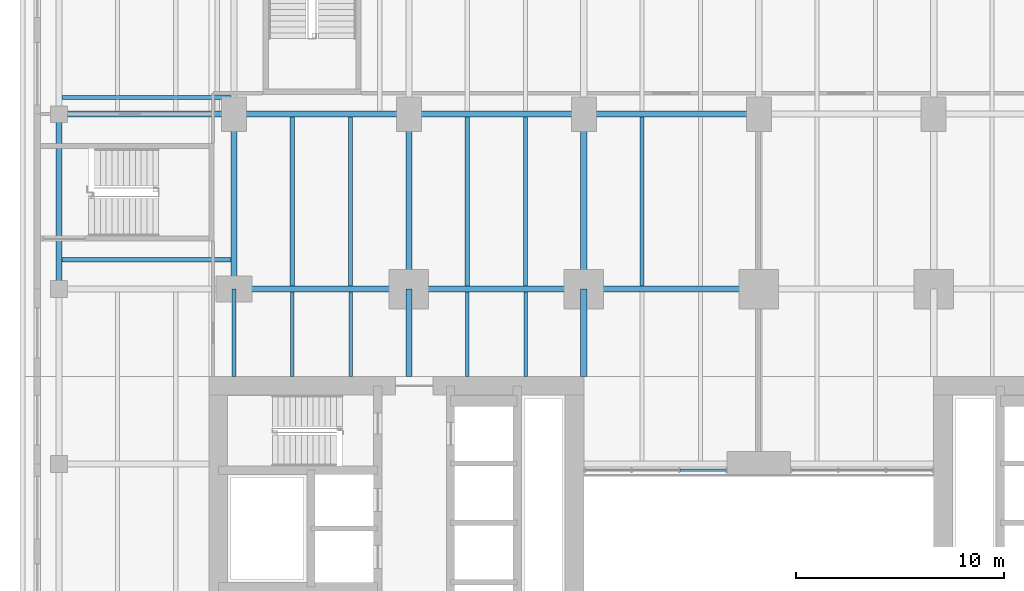
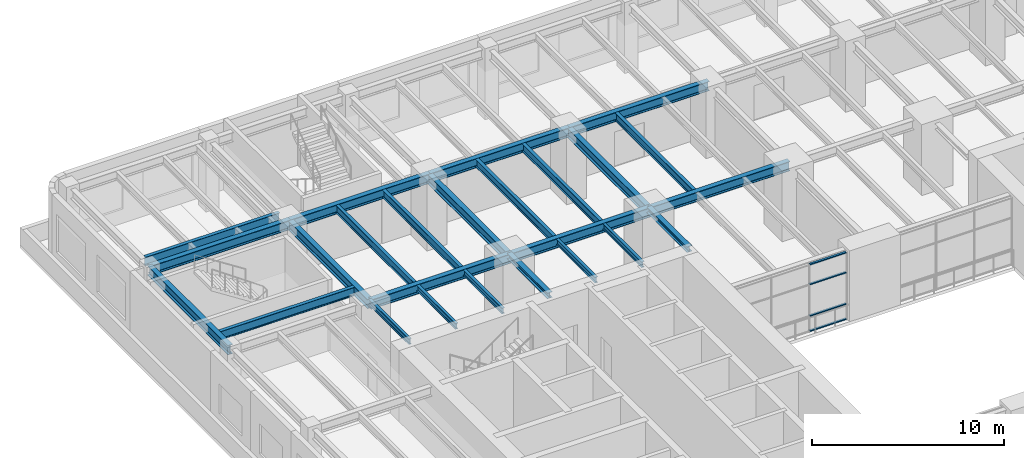
# One storey, part 9 of 30: 25 beams, 4 members, 1 element without a shape of its own.
"""IFC4 building model written with IfcOpenShell, lengths in metres."""

from ifc_helpers import new_model, si_unit, direction, frame, origin, origin_2d, place, context, subcontext, project, spatial, rectangle, i_section, extrude, material, material_profile, profile_set, type_object, element, aggregate, save


model = new_model("IFC4")

# Units and contexts
model_context = context("Model", 3, precision=1e-05, world=origin(), true_north=direction((0.0, 1.0)))
body_context = subcontext(model_context, "Body", "Model", "MODEL_VIEW")
ifc_project = project(units=[si_unit("LENGTHUNIT", "METRE"), si_unit("AREAUNIT", "SQUARE_METRE"), si_unit("VOLUMEUNIT", "CUBIC_METRE"), si_unit("PLANEANGLEUNIT", "RADIAN"), si_unit("MASSUNIT", "GRAM", prefix="KILO")], contexts=[model_context])

# Site, building, storey
site_placement = place(None, origin())
site = spatial("IfcSite", under=ifc_project, at=site_placement, CompositionType="ELEMENT")
building_placement = place(site_placement, origin())
building = spatial("IfcBuilding", under=site, at=building_placement, Name="Claustro Exchange Tower", CompositionType="ELEMENT")
storey_placement = place(building_placement, frame((0.0, 0.0, 5.39990234375)))
storey = spatial("IfcBuildingStorey", under=building, at=storey_placement, Name="L01", CompositionType="ELEMENT", Elevation=5.39990234375)

# Beams
ifc_material_1 = material(Name="Steel S355", Category="steel")
ifc_material_profile_1 = material_profile(ifc_material_1, i_section(OverallWidth=0.300048828125, OverallDepth=0.60009765625, WebThickness=0.015380859375, FlangeThickness=0.030029296875, FilletRadius=0.027099609375, at=origin_2d()), Name="HE 600 B")
ifc_profile_set_1 = profile_set([ifc_material_profile_1], Name="Steel S355")
beam_type_1 = type_object("IfcBeamType", Name="B1 HE 600 B floor girder", PredefinedType="BEAM", material=ifc_profile_set_1)
for number, where, z_axis, x_axis, name in (
    (1, (-8.39990234375, 42.0, 4.0), (0.0, 1.0, 0.0), (-1.0, 0.0, 0.0), "Beam B1 L02"),
    (2, (0.0, 42.0, 4.0), (0.0, 1.0, 0.0), (-1.0, 0.0, 0.0), "Beam B1 L02"),
    (3, (8.39990234375, 42.0, 4.0), (0.0, 1.0, 0.0), (-1.0, 0.0, 0.0), "Beam B1 L02"),
    (4, (16.800048828125, 42.0, 4.0), (0.0, 1.0, 0.0), (-1.0, 0.0, 0.0), "Beam B1 L02"),
    (5, (0.0, 42.0, 4.0), (1.0, 0.0, 0.0), (0.0, 1.0, 0.0), "Beam B1 L02"),
):
    element("IfcBeam", number, at=place(storey_placement, frame(where, z_axis=z_axis, x_axis=x_axis)), inside=storey, type_object=beam_type_1, Name=name, PredefinedType="BEAM", context=body_context, shape_type="SweptSolid", body=[
        extrude(i_section(OverallWidth=0.300048828125, OverallDepth=0.60009765625, WebThickness=0.015380859375, FlangeThickness=0.030029296875, FilletRadius=0.027099609375, at=origin_2d()), origin(), (0.0, 0.0, 1.0), 8.39990234375),
    ])
beam_1_placement = place(storey_placement, frame((8.39990234375, 42.0, 4.0), z_axis=(1.0, 0.0, 0.0), x_axis=(0.0, 1.0, 0.0)))
element("IfcBeam", 6, at=beam_1_placement, inside=storey, type_object=beam_type_1, Name="Beam B1 L02", PredefinedType="BEAM", context=body_context, shape_type="SweptSolid", body=[
    extrude(i_section(OverallWidth=0.300048828125, OverallDepth=0.60009765625, WebThickness=0.015380859375, FlangeThickness=0.030029296875, FilletRadius=0.027099609375, at=origin_2d()), origin(), (0.0, 0.0, 1.0), 8.400146484375),
])
for number, where, z_axis, x_axis, name in (
    (7, (16.800048828125, 42.0, 4.0), (1.0, 0.0, 0.0), (0.0, 1.0, 0.0), "Beam B1 L02"),
    (8, (-8.39990234375, 50.39990234375, 4.0), (1.0, 0.0, 0.0), (0.0, 1.0, 0.0), "Beam B1 L02"),
    (9, (0.0, 50.39990234375, 4.0), (1.0, 0.0, 0.0), (0.0, 1.0, 0.0), "Beam B1 L02"),
):
    element("IfcBeam", number, at=place(storey_placement, frame(where, z_axis=z_axis, x_axis=x_axis)), inside=storey, type_object=beam_type_1, Name=name, PredefinedType="BEAM", context=body_context, shape_type="SweptSolid", body=[
        extrude(i_section(OverallWidth=0.300048828125, OverallDepth=0.60009765625, WebThickness=0.015380859375, FlangeThickness=0.030029296875, FilletRadius=0.027099609375, at=origin_2d()), origin(), (0.0, 0.0, 1.0), 8.39990234375),
    ])
beam_2_placement = place(storey_placement, frame((8.39990234375, 50.39990234375, 4.0), z_axis=(1.0, 0.0, 0.0), x_axis=(0.0, 1.0, 0.0)))
element("IfcBeam", 10, at=beam_2_placement, inside=storey, type_object=beam_type_1, Name="Beam B1 L02", PredefinedType="BEAM", context=body_context, shape_type="SweptSolid", body=[
    extrude(i_section(OverallWidth=0.300048828125, OverallDepth=0.60009765625, WebThickness=0.015380859375, FlangeThickness=0.030029296875, FilletRadius=0.027099609375, at=origin_2d()), origin(), (0.0, 0.0, 1.0), 8.400146484375),
])
beam_3_placement = place(storey_placement, frame((16.800048828125, 50.39990234375, 4.0), z_axis=(1.0, 0.0, 0.0), x_axis=(0.0, 1.0, 0.0)))
element("IfcBeam", 11, at=beam_3_placement, inside=storey, type_object=beam_type_1, Name="Beam B1 L02", PredefinedType="BEAM", context=body_context, shape_type="SweptSolid", body=[
    extrude(i_section(OverallWidth=0.300048828125, OverallDepth=0.60009765625, WebThickness=0.015380859375, FlangeThickness=0.030029296875, FilletRadius=0.027099609375, at=origin_2d()), origin(), (0.0, 0.0, 1.0), 8.39990234375),
])
ifc_material_2 = material(Name="Steel S355", Category="steel")
ifc_material_profile_2 = material_profile(ifc_material_2, i_section(OverallWidth=0.169921875, OverallDepth=0.360107421875, WebThickness=0.008056640625, FlangeThickness=0.0126953125, FilletRadius=0.01806640625, at=origin_2d()), Name="IPE 360")
ifc_profile_set_2 = profile_set([ifc_material_profile_2], Name="Steel S355")
beam_type_2 = type_object("IfcBeamType", Name="B16 IPE 360 short-span beam", PredefinedType="BEAM", material=ifc_profile_set_2)
beam_4_placement = place(storey_placement, frame((0.0, 37.800048828125, 4.1201171875), z_axis=(0.0, 1.0, 0.0), x_axis=(-1.0, 0.0, 0.0)))
element("IfcBeam", 12, at=beam_4_placement, inside=storey, type_object=beam_type_2, Name="Beam B16 L02", PredefinedType="BEAM", context=body_context, shape_type="SweptSolid", body=[
    extrude(i_section(OverallWidth=0.169921875, OverallDepth=0.360107421875, WebThickness=0.008056640625, FlangeThickness=0.0126953125, FilletRadius=0.01806640625, at=origin_2d()), origin(), (0.0, 0.0, 1.0), 4.199951171875),
])
for number, where, z_axis, x_axis, name in (
    (13, (2.800048828125, 37.7900390625, 4.1201171875), (0.0, 1.0, 0.0), (-1.0, 0.0, 0.0), "Beam B16 L02"),
    (14, (5.60009765625, 37.7900390625, 4.1201171875), (0.0, 1.0, 0.0), (-1.0, 0.0, 0.0), "Beam B16 L02"),
    (15, (11.199951171875, 37.7900390625, 4.1201171875), (0.0, 1.0, 0.0), (-1.0, 0.0, 0.0), "Beam B16 L02"),
    (16, (14.0, 37.7900390625, 4.1201171875), (0.0, 1.0, 0.0), (-1.0, 0.0, 0.0), "Beam B16 L02"),
):
    element("IfcBeam", number, at=place(storey_placement, frame(where, z_axis=z_axis, x_axis=x_axis)), inside=storey, type_object=beam_type_2, Name=name, PredefinedType="BEAM", context=body_context, shape_type="SweptSolid", body=[
        extrude(i_section(OverallWidth=0.169921875, OverallDepth=0.360107421875, WebThickness=0.008056640625, FlangeThickness=0.0126953125, FilletRadius=0.01806640625, at=origin_2d()), origin(), (0.0, 0.0, 1.0), 4.06005859375),
    ])
ifc_material_3 = material(Name="Steel S355", Category="steel")
ifc_material_profile_3 = material_profile(ifc_material_3, i_section(OverallWidth=0.199951171875, OverallDepth=0.5, WebThickness=0.01025390625, FlangeThickness=0.01611328125, FilletRadius=0.02099609375, at=origin_2d()), Name="IPE 500")
ifc_profile_set_3 = profile_set([ifc_material_profile_3], Name="Steel S355")
beam_type_3 = type_object("IfcBeamType", Name="B2 IPE 500 secondary beam", PredefinedType="BEAM", material=ifc_profile_set_3)
for number, where, z_axis, x_axis, name in (
    (17, (2.800048828125, 42.14990234375, 4.050048828125), (0.0, 1.0, 0.0), (-1.0, 0.0, 0.0), "Beam B2 L02"),
    (18, (5.60009765625, 42.14990234375, 4.050048828125), (0.0, 1.0, 0.0), (-1.0, 0.0, 0.0), "Beam B2 L02"),
    (19, (11.199951171875, 42.14990234375, 4.050048828125), (0.0, 1.0, 0.0), (-1.0, 0.0, 0.0), "Beam B2 L02"),
    (20, (14.0, 42.14990234375, 4.050048828125), (0.0, 1.0, 0.0), (-1.0, 0.0, 0.0), "Beam B2 L02"),
    (21, (19.60009765625, 42.14990234375, 4.050048828125), (0.0, 1.0, 0.0), (-1.0, 0.0, 0.0), "Beam B2 L02"),
):
    element("IfcBeam", number, at=place(storey_placement, frame(where, z_axis=z_axis, x_axis=x_axis)), inside=storey, type_object=beam_type_3, Name=name, PredefinedType="BEAM", context=body_context, shape_type="SweptSolid", body=[
        extrude(i_section(OverallWidth=0.199951171875, OverallDepth=0.5, WebThickness=0.01025390625, FlangeThickness=0.01611328125, FilletRadius=0.02099609375, at=origin_2d()), origin(), (0.0, 0.0, 1.0), 8.10009765625),
    ])
ifc_material_4 = material(Name="Steel S355", Category="steel")
ifc_material_profile_4 = material_profile(ifc_material_4, i_section(OverallWidth=0.2099609375, OverallDepth=0.550048828125, WebThickness=0.010986328125, FlangeThickness=0.01708984375, FilletRadius=0.02392578125, at=origin_2d()), Name="IPE 550")
ifc_profile_set_4 = profile_set([ifc_material_profile_4], Name="Steel S355")
beam_type_4 = type_object("IfcBeamType", Name="B28 IPE 550 podium stair trimmer", PredefinedType="BEAM", material=ifc_profile_set_4)
for number, where, z_axis, x_axis, name in (
    (22, (-8.25, 43.39990234375, 4.025146484375), (1.0, 0.0, 0.0), (0.0, 1.0, 0.0), "Beam B28 trimmer STP5 L02"),
    (23, (-8.25, 51.199951171875, 4.025146484375), (1.0, 0.0, 0.0), (0.0, 1.0, 0.0), "Beam B28 trimmer STP5 L02"),
):
    element("IfcBeam", number, at=place(storey_placement, frame(where, z_axis=z_axis, x_axis=x_axis)), inside=storey, type_object=beam_type_4, Name=name, PredefinedType="BEAM", context=body_context, shape_type="SweptSolid", body=[
        extrude(i_section(OverallWidth=0.2099609375, OverallDepth=0.550048828125, WebThickness=0.010986328125, FlangeThickness=0.01708984375, FilletRadius=0.02392578125, at=origin_2d()), origin(), (0.0, 0.0, 1.0), 8.10009765625),
    ])
ifc_material_5 = material(Name="Steel S355", Category="steel")
ifc_material_profile_5 = material_profile(ifc_material_5, i_section(OverallWidth=0.300048828125, OverallDepth=0.360107421875, WebThickness=0.012451171875, FlangeThickness=0.0224609375, FilletRadius=0.027099609375, at=origin_2d()), Name="HE 360 B")
ifc_profile_set_5 = profile_set([ifc_material_profile_5], Name="Steel S355")
beam_type_5 = type_object("IfcBeamType", Name="B29 HE 360 B column to core link beam", PredefinedType="BEAM", material=ifc_profile_set_5)
for number, where, z_axis, x_axis, name in (
    (24, (8.39990234375, 37.800048828125, 4.1201171875), (0.0, 1.0, 0.0), (-1.0, 0.0, 0.0), "Beam B29 L02"),
    (25, (16.800048828125, 37.800048828125, 4.1201171875), (0.0, 1.0, 0.0), (-1.0, 0.0, 0.0), "Beam B29 L02"),
):
    element("IfcBeam", number, at=place(storey_placement, frame(where, z_axis=z_axis, x_axis=x_axis)), inside=storey, type_object=beam_type_5, Name=name, PredefinedType="BEAM", context=body_context, shape_type="SweptSolid", body=[
        extrude(i_section(OverallWidth=0.300048828125, OverallDepth=0.360107421875, WebThickness=0.012451171875, FlangeThickness=0.0224609375, FilletRadius=0.027099609375, at=origin_2d()), origin(), (0.0, 0.0, 1.0), 4.199951171875),
    ])

# Curtain wall, members
ifc_material_6 = material(Name="Aluminium frame, clear double glazing", Category="aluminium")
curtain_wall_type = type_object("IfcCurtainWallType", Name="CW3 light well curtain wall", PredefinedType="USERDEFINED", material=ifc_material_6)
curtain_wall_placement = place(storey_placement, origin())
curtain_wall = element("IfcCurtainWall", 26, at=curtain_wall_placement, inside=storey, type_object=curtain_wall_type, Name="Curtain wall CW3 L01", ObjectType="STICK CURTAIN WALL", PredefinedType="USERDEFINED")
ifc_material_7 = material(Name="Aluminium transom", Category="aluminium")
ifc_material_profile_6 = material_profile(ifc_material_7, rectangle(XDim=0.1298828125, YDim=0.06494140625, at=origin_2d()), Name="CW3-T 65x130")
ifc_profile_set_6 = profile_set([ifc_material_profile_6], Name="Aluminium transom")
member_type = type_object("IfcMemberType", Name="CW3-T 65 x 130 transom", PredefinedType="USERDEFINED", material=ifc_profile_set_6)
member_1_placement = place(storey_placement, frame((21.415771484375, 33.300048828125, 0.03271484375), z_axis=(1.0, 0.0, 0.0), x_axis=(0.0, 1.0, 0.0)))
member_1 = element("IfcMember", 27, at=member_1_placement, type_object=member_type, Name="CW3 transom 3.1", ObjectType="TRANSOM", PredefinedType="USERDEFINED", context=body_context, shape_type="SweptSolid", body=[
    extrude(rectangle(XDim=0.1298828125, YDim=0.06494140625, at=origin_2d()), origin(), (0.0, 0.0, 1.0), 2.1943359375),
])
member_2_placement = place(storey_placement, frame((21.415771484375, 33.300048828125, 1.0), z_axis=(1.0, 0.0, 0.0), x_axis=(0.0, 1.0, 0.0)))
member_2 = element("IfcMember", 28, at=member_2_placement, type_object=member_type, Name="CW3 transom 3.2", ObjectType="TRANSOM", PredefinedType="USERDEFINED", context=body_context, shape_type="SweptSolid", body=[
    extrude(rectangle(XDim=0.1298828125, YDim=0.06494140625, at=origin_2d()), origin(), (0.0, 0.0, 1.0), 2.1943359375),
])
member_3_placement = place(storey_placement, frame((21.415771484375, 33.300048828125, 3.0), z_axis=(1.0, 0.0, 0.0), x_axis=(0.0, 1.0, 0.0)))
member_3 = element("IfcMember", 29, at=member_3_placement, type_object=member_type, Name="CW3 transom 3.3", ObjectType="TRANSOM", PredefinedType="USERDEFINED", context=body_context, shape_type="SweptSolid", body=[
    extrude(rectangle(XDim=0.1298828125, YDim=0.06494140625, at=origin_2d()), origin(), (0.0, 0.0, 1.0), 2.1943359375),
])
member_4_placement = place(storey_placement, frame((21.415771484375, 33.300048828125, 4.267578125), z_axis=(1.0, 0.0, 0.0), x_axis=(0.0, 1.0, 0.0)))
member_4 = element("IfcMember", 30, at=member_4_placement, type_object=member_type, Name="CW3 transom 3.4", ObjectType="TRANSOM", PredefinedType="USERDEFINED", context=body_context, shape_type="SweptSolid", body=[
    extrude(rectangle(XDim=0.1298828125, YDim=0.06494140625, at=origin_2d()), origin(), (0.0, 0.0, 1.0), 2.1943359375),
])
aggregate(curtain_wall, [member_1, member_2, member_3, member_4])

save(model, "model.ifc")
